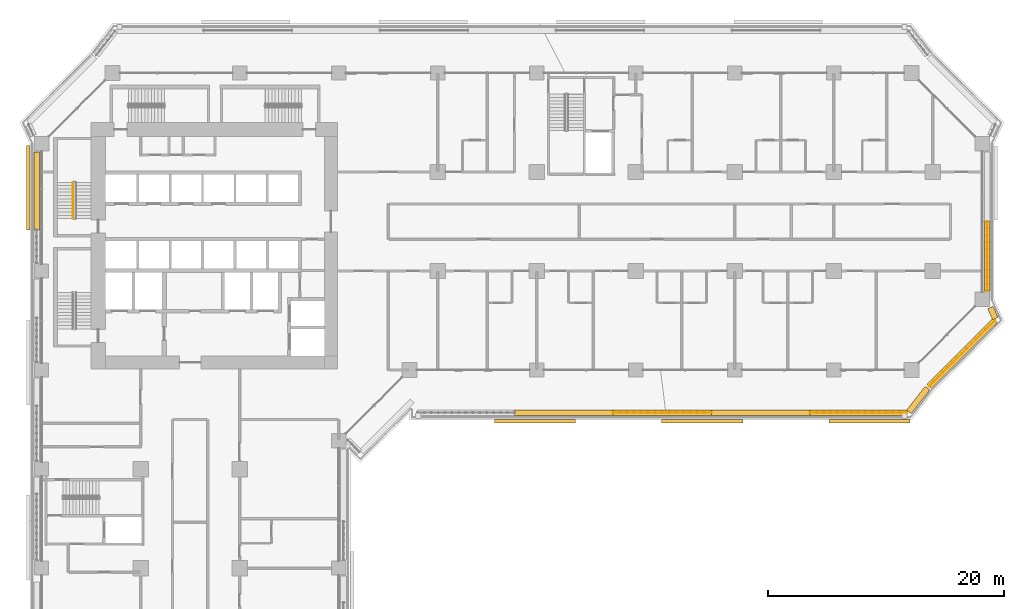
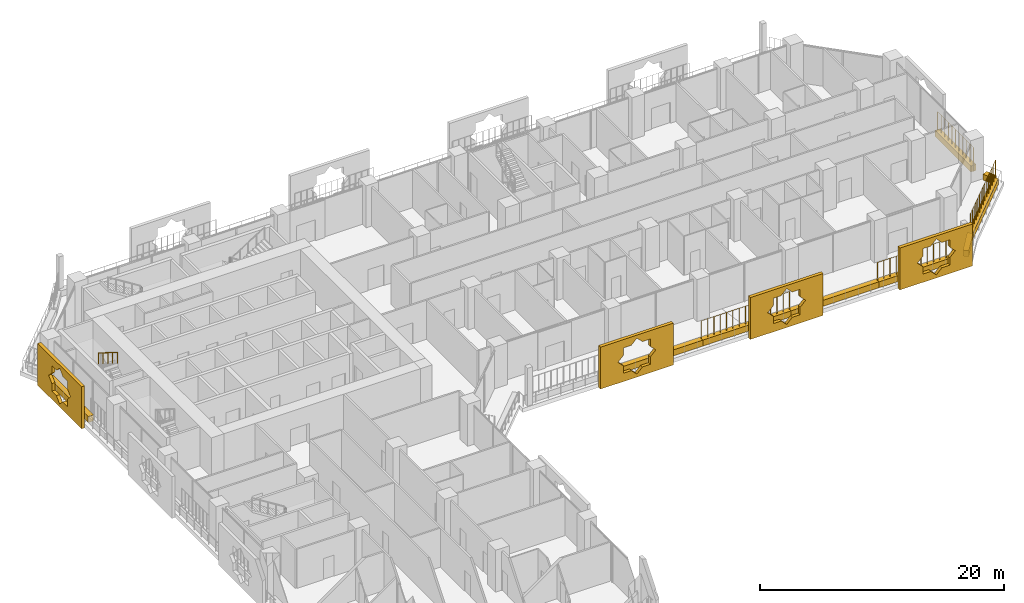
# One storey, part 25 of 28: 13 coverings, 5 railings.
"""IFC4 building model written with IfcOpenShell, lengths in metres."""

from ifc_helpers import new_model, si_unit, direction, frame, origin, origin_2d, place, context, subcontext, project, spatial, polyline, rectangle, circle, outline, extrude, material, material_profile, profile_set, type_object, element, save


model = new_model("IFC4")

# Units and contexts
model_context = context("Model", 3, precision=1e-05, world=origin(), true_north=direction((0.0, 1.0)))
body_context = subcontext(model_context, "Body", "Model", "MODEL_VIEW")
ifc_project = project(units=[si_unit("LENGTHUNIT", "METRE"), si_unit("AREAUNIT", "SQUARE_METRE"), si_unit("VOLUMEUNIT", "CUBIC_METRE"), si_unit("PLANEANGLEUNIT", "RADIAN"), si_unit("MASSUNIT", "GRAM", prefix="KILO")], contexts=[model_context])

# Site, building, storey
site_placement = place(None, origin())
site = spatial("IfcSite", under=ifc_project, at=site_placement, CompositionType="ELEMENT")
building_placement = place(site_placement, origin())
building = spatial("IfcBuilding", under=site, at=building_placement, Name="Kawkab Arch Medical Tower", CompositionType="ELEMENT")
storey_placement = place(building_placement, frame((0.0, 0.0, 77.0)))
storey = spatial("IfcBuildingStorey", under=building, at=storey_placement, Name="L17", CompositionType="ELEMENT", Elevation=77.0)

# Coverings
ifc_material_1 = material(Name="Bronze anodised aluminium mashrabiya panel, eight-point star pattern", Category="aluminium")
ifc_material_profile_1 = material_profile(ifc_material_1, outline(polyline([(-3.449951171875, -2.10009765625), (3.449951171875, -2.10009765625), (3.449951171875, 2.10009765625), (-3.449951171875, 2.10009765625), (-3.449951171875, -2.10009765625)]), holes=[polyline([(1.800048828125, 0.0), (1.272705078125, 0.527099609375), (1.272705078125, 1.272705078125), (0.527099609375, 1.272705078125), (0.0, 1.800048828125), (-0.527099609375, 1.272705078125), (-1.272705078125, 1.272705078125), (-1.272705078125, 0.527099609375), (-1.800048828125, 0.0), (-1.272705078125, -0.527099609375), (-1.272705078125, -1.272705078125), (-0.527099609375, -1.272705078125), (0.0, -1.800048828125), (0.527099609375, -1.272705078125), (1.272705078125, -1.272705078125), (1.272705078125, -0.527099609375), (1.800048828125, 0.0)])]), Name="Mashrabiya panel 6900x4200")
ifc_profile_set_1 = profile_set([ifc_material_profile_1], Name="Bronze anodised aluminium mashrabiya panel, eight-point star pattern")
covering_type_1 = type_object("IfcCoveringType", Name="Mashrabiya panel 6900 x 4200", PredefinedType="USERDEFINED", material=ifc_profile_set_1)
for number, where, z_axis, x_axis, name in (
    (1, (70.226318359375, -29.39990234375, 1.699951171875), (0.0, -1.0, 0.0), (1.0, 0.0, 0.0), "Mashrabiya panel L17.LOG-01-01.11"),
    (2, (56.05126953125, -29.39990234375, 1.699951171875), (0.0, -1.0, 0.0), (1.0, 0.0, 0.0), "Mashrabiya panel L17.LOG-01-01.12"),
    (3, (41.856201171875, -29.39990234375, 1.699951171875), (0.0, -1.0, 0.0), (1.0, 0.0, 0.0), "Mashrabiya panel L17.LOG-01-01.13"),
):
    element("IfcCovering", number, at=place(storey_placement, frame(where, z_axis=z_axis, x_axis=x_axis)), inside=storey, type_object=covering_type_1, Name=name, ObjectType="SCREEN", PredefinedType="USERDEFINED", context=body_context, shape_type="SweptSolid", body=[
        extrude(outline(polyline([(-3.449951171875, -2.10009765625), (3.449951171875, -2.10009765625), (3.449951171875, 2.10009765625), (-3.449951171875, 2.10009765625), (-3.449951171875, -2.10009765625)]), holes=[polyline([(1.800048828125, 0.0), (1.272705078125, 0.527099609375), (1.272705078125, 1.272705078125), (0.527099609375, 1.272705078125), (0.0, 1.800048828125), (-0.527099609375, 1.272705078125), (-1.272705078125, 1.272705078125), (-1.272705078125, 0.527099609375), (-1.800048828125, 0.0), (-1.272705078125, -0.527099609375), (-1.272705078125, -1.272705078125), (-0.527099609375, -1.272705078125), (0.0, -1.800048828125), (0.527099609375, -1.272705078125), (1.272705078125, -1.272705078125), (1.272705078125, -0.527099609375), (1.800048828125, 0.0)])]), origin(), (0.0, 0.0, 1.0), 0.300048828125),
    ])
ifc_material_2 = material(Name="Bronze anodised aluminium mashrabiya panel, eight-point star pattern", Category="aluminium")
ifc_material_profile_2 = material_profile(ifc_material_2, outline(polyline([(-3.60009765625, -2.10009765625), (3.60009765625, -2.10009765625), (3.60009765625, 2.10009765625), (-3.60009765625, 2.10009765625), (-3.60009765625, -2.10009765625)]), holes=[polyline([(1.800048828125, 0.0), (1.272705078125, 0.527099609375), (1.272705078125, 1.272705078125), (0.527099609375, 1.272705078125), (0.0, 1.800048828125), (-0.527099609375, 1.272705078125), (-1.272705078125, 1.272705078125), (-1.272705078125, 0.527099609375), (-1.800048828125, 0.0), (-1.272705078125, -0.527099609375), (-1.272705078125, -1.272705078125), (-0.527099609375, -1.272705078125), (0.0, -1.800048828125), (0.527099609375, -1.272705078125), (1.272705078125, -1.272705078125), (1.272705078125, -0.527099609375), (1.800048828125, 0.0)])]), Name="Mashrabiya panel 7200x4200")
ifc_profile_set_2 = profile_set([ifc_material_profile_2], Name="Bronze anodised aluminium mashrabiya panel, eight-point star pattern")
covering_type_2 = type_object("IfcCoveringType", Name="Mashrabiya panel 7200 x 4200", PredefinedType="USERDEFINED", material=ifc_profile_set_2)
covering_1_placement = place(storey_placement, frame((-1.0, -9.730712890625, 1.699951171875), z_axis=(-1.0, 0.0, 0.0), x_axis=(0.0, -1.0, 0.0)))
element("IfcCovering", 4, at=covering_1_placement, inside=storey, type_object=covering_type_2, Name="Mashrabiya panel L17.LOG-01-01.5", ObjectType="SCREEN", PredefinedType="USERDEFINED", context=body_context, shape_type="SweptSolid", body=[
    extrude(outline(polyline([(-3.60009765625, -2.10009765625), (3.60009765625, -2.10009765625), (3.60009765625, 2.10009765625), (-3.60009765625, 2.10009765625), (-3.60009765625, -2.10009765625)]), holes=[polyline([(1.800048828125, 0.0), (1.272705078125, 0.527099609375), (1.272705078125, 1.272705078125), (0.527099609375, 1.272705078125), (0.0, 1.800048828125), (-0.527099609375, 1.272705078125), (-1.272705078125, 1.272705078125), (-1.272705078125, 0.527099609375), (-1.800048828125, 0.0), (-1.272705078125, -0.527099609375), (-1.272705078125, -1.272705078125), (-0.527099609375, -1.272705078125), (0.0, -1.800048828125), (0.527099609375, -1.272705078125), (1.272705078125, -1.272705078125), (1.272705078125, -0.527099609375), (1.800048828125, 0.0)])]), origin(), (0.0, 0.0, 1.0), 0.300048828125),
])
ifc_material_3 = material(Name="Planting soil in a precast trough", Category="concrete")
ifc_material_profile_3 = material_profile(ifc_material_3, rectangle(XDim=0.5, YDim=0.60009765625, at=origin_2d()), Name="Trough 500x600")
ifc_profile_set_3 = profile_set([ifc_material_profile_3], Name="Planting soil in a precast trough")
covering_type_3 = type_object("IfcCoveringType", Name="Planter trough 500 x 600", PredefinedType="USERDEFINED", material=ifc_profile_set_3)
covering_2_placement = place(storey_placement, frame((-0.419921875, -13.3310546875, 0.300048828125), z_axis=(0.0, 1.0, 0.0), x_axis=(-1.0, 0.0, 0.0)))
element("IfcCovering", 5, at=covering_2_placement, inside=storey, type_object=covering_type_3, Name="Planter L17.LOG-01-01.16", ObjectType="PLANTER", PredefinedType="USERDEFINED", context=body_context, shape_type="SweptSolid", body=[
    extrude(rectangle(XDim=0.5, YDim=0.60009765625, at=origin_2d()), origin(), (0.0, 0.0, 1.0), 6.6259765625),
])
covering_3_placement = place(storey_placement, frame((80.219970703125, -12.60009765625, 0.300048828125), z_axis=(0.0, -1.0, 0.0), x_axis=(1.0, 0.0, 0.0)))
element("IfcCovering", 6, at=covering_3_placement, inside=storey, type_object=covering_type_3, Name="Planter L17.LOG-01-01.33", ObjectType="PLANTER", PredefinedType="USERDEFINED", context=body_context, shape_type="SweptSolid", body=[
    extrude(rectangle(XDim=0.5, YDim=0.60009765625, at=origin_2d()), origin(), (0.0, 0.0, 1.0), 5.89501953125),
])
covering_4_placement = place(storey_placement, frame((80.48095703125, -19.89794921875, 0.300048828125), z_axis=(0.415071571878, -0.909788761317, 0.0), x_axis=(0.909788761317, 0.415071571878, 0.0)))
element("IfcCovering", 7, at=covering_4_placement, inside=storey, type_object=covering_type_3, Name="Planter L17.LOG-01-01.34", ObjectType="PLANTER", PredefinedType="USERDEFINED", context=body_context, shape_type="SweptSolid", body=[
    extrude(rectangle(XDim=0.5, YDim=0.60009765625, at=origin_2d()), origin(), (0.0, 0.0, 1.0), 1.0146484375),
])
covering_5_placement = place(storey_placement, frame((80.873046875, -20.98291015625, 0.300048828125), z_axis=(-0.707106781187, -0.707106781187, 0.0), x_axis=(0.707106781187, -0.707106781187, 0.0)))
element("IfcCovering", 8, at=covering_5_placement, inside=storey, type_object=covering_type_3, Name="Planter L17.LOG-01-01.35", ObjectType="PLANTER", PredefinedType="USERDEFINED", context=body_context, shape_type="SweptSolid", body=[
    extrude(rectangle(XDim=0.5, YDim=0.60009765625, at=origin_2d()), origin(), (0.0, 0.0, 1.0), 7.919677734375),
])
covering_6_placement = place(storey_placement, frame((75.14111328125, -26.73193359375, 0.300048828125), z_axis=(-0.614099956103, -0.789228258436, 0.0), x_axis=(0.789228258436, -0.614099956103, 0.0)))
element("IfcCovering", 9, at=covering_6_placement, inside=storey, type_object=covering_type_3, Name="Planter L17.LOG-01-01.36", ObjectType="PLANTER", PredefinedType="USERDEFINED", context=body_context, shape_type="SweptSolid", body=[
    extrude(rectangle(XDim=0.5, YDim=0.60009765625, at=origin_2d()), origin(), (0.0, 0.0, 1.0), 2.545654296875),
])
covering_7_placement = place(storey_placement, frame((73.416015625, -28.820068359375, 0.300048828125), z_axis=(-1.0, 0.0, 0.0), x_axis=(0.0, -1.0, 0.0)))
element("IfcCovering", 10, at=covering_7_placement, inside=storey, type_object=covering_type_3, Name="Planter L17.LOG-01-01.37", ObjectType="PLANTER", PredefinedType="USERDEFINED", context=body_context, shape_type="SweptSolid", body=[
    extrude(rectangle(XDim=0.5, YDim=0.60009765625, at=origin_2d()), origin(), (0.0, 0.0, 1.0), 8.2470703125),
])
for number, where, z_axis, x_axis, name in (
    (11, (65.1689453125, -28.820068359375, 0.300048828125), (-1.0, 0.0, 0.0), (0.0, -1.0, 0.0), "Planter L17.LOG-01-01.38"),
    (12, (56.822021484375, -28.820068359375, 0.300048828125), (-1.0, 0.0, 0.0), (0.0, -1.0, 0.0), "Planter L17.LOG-01-01.39"),
):
    element("IfcCovering", number, at=place(storey_placement, frame(where, z_axis=z_axis, x_axis=x_axis)), inside=storey, type_object=covering_type_3, Name=name, ObjectType="PLANTER", PredefinedType="USERDEFINED", context=body_context, shape_type="SweptSolid", body=[
        extrude(rectangle(XDim=0.5, YDim=0.60009765625, at=origin_2d()), origin(), (0.0, 0.0, 1.0), 8.346923828125),
    ])
covering_8_placement = place(storey_placement, frame((48.47509765625, -28.820068359375, 0.300048828125), z_axis=(-1.0, 0.0, 0.0), x_axis=(0.0, -1.0, 0.0)))
element("IfcCovering", 13, at=covering_8_placement, inside=storey, type_object=covering_type_3, Name="Planter L17.LOG-01-01.40", ObjectType="PLANTER", PredefinedType="USERDEFINED", context=body_context, shape_type="SweptSolid", body=[
    extrude(rectangle(XDim=0.5, YDim=0.60009765625, at=origin_2d()), origin(), (0.0, 0.0, 1.0), 8.34814453125),
])

# Railings
ifc_material_4 = material(Name="Bronze anodised aluminium trellis for climbing plants", Category="aluminium")
railing_type_1 = type_object("IfcRailingType", Name="Planting trellis 2400", PredefinedType="USERDEFINED", material=ifc_material_4)
railing_1_placement = place(storey_placement, frame((80.219970703125, -12.60009765625, 0.0)))
element("IfcRailing", 14, at=railing_1_placement, inside=storey, type_object=railing_type_1, Name="Planting trellis L17.LOG-01-01.33", ObjectType="TRELLIS", PredefinedType="USERDEFINED", context=body_context, shape_type="SweptSolid", body=[
    extrude(circle(Radius=0.01513671875, at=origin_2d()), frame((0.0, 0.0, 2.384765625), z_axis=(0.0, -1.0, 0.0), x_axis=(1.0, 0.0, 0.0)), (0.0, 0.0, 1.0), 5.89501953125),
    extrude(circle(Radius=0.030029296875, at=origin_2d()), origin(), (0.0, 0.0, 1.0), 2.369873046875),
    extrude(circle(Radius=0.030029296875, at=origin_2d()), frame((0.0, -0.589599609375, 0.0)), (0.0, 0.0, 1.0), 2.369873046875),
    extrude(circle(Radius=0.030029296875, at=origin_2d()), frame((0.0, -1.178955078125, 0.0)), (0.0, 0.0, 1.0), 2.369873046875),
    extrude(circle(Radius=0.030029296875, at=origin_2d()), frame((0.0, -1.7685546875, 0.0)), (0.0, 0.0, 1.0), 2.369873046875),
    extrude(circle(Radius=0.030029296875, at=origin_2d()), frame((0.0, -2.35791015625, 0.0)), (0.0, 0.0, 1.0), 2.369873046875),
    extrude(circle(Radius=0.030029296875, at=origin_2d()), frame((0.0, -2.947509765625, 0.0)), (0.0, 0.0, 1.0), 2.369873046875),
    extrude(circle(Radius=0.030029296875, at=origin_2d()), frame((0.0, -3.537109375, 0.0)), (0.0, 0.0, 1.0), 2.369873046875),
    extrude(circle(Radius=0.030029296875, at=origin_2d()), frame((0.0, -4.12646484375, 0.0)), (0.0, 0.0, 1.0), 2.369873046875),
    extrude(circle(Radius=0.030029296875, at=origin_2d()), frame((0.0, -4.716064453125, 0.0)), (0.0, 0.0, 1.0), 2.369873046875),
    extrude(circle(Radius=0.030029296875, at=origin_2d()), frame((0.0, -5.305419921875, 0.0)), (0.0, 0.0, 1.0), 2.369873046875),
    extrude(circle(Radius=0.030029296875, at=origin_2d()), frame((0.0, -5.89501953125, 0.0)), (0.0, 0.0, 1.0), 2.369873046875),
])
railing_2_placement = place(storey_placement, frame((80.873046875, -20.98291015625, 0.0)))
element("IfcRailing", 15, at=railing_2_placement, inside=storey, type_object=railing_type_1, Name="Planting trellis L17.LOG-01-01.35", ObjectType="TRELLIS", PredefinedType="USERDEFINED", context=body_context, shape_type="SweptSolid", body=[
    extrude(circle(Radius=0.01513671875, at=origin_2d()), frame((0.0, 0.0, 2.384765625), z_axis=(-0.707106781187, -0.707106781187, 0.0), x_axis=(0.707106781187, -0.707106781187, 0.0)), (0.0, 0.0, 1.0), 7.919677734375),
    extrude(circle(Radius=0.030029296875, at=origin_2d()), origin(), (0.0, 0.0, 1.0), 2.369873046875),
    extrude(circle(Radius=0.030029296875, at=origin_2d()), frame((-0.39990234375, -0.39990234375, 0.0)), (0.0, 0.0, 1.0), 2.369873046875),
    extrude(circle(Radius=0.030029296875, at=origin_2d()), frame((-0.800048828125, -0.800048828125, 0.0)), (0.0, 0.0, 1.0), 2.369873046875),
    extrude(circle(Radius=0.030029296875, at=origin_2d()), frame((-1.199951171875, -1.199951171875, 0.0)), (0.0, 0.0, 1.0), 2.369873046875),
    extrude(circle(Radius=0.030029296875, at=origin_2d()), frame((-1.60009765625, -1.60009765625, 0.0)), (0.0, 0.0, 1.0), 2.369873046875),
    extrude(circle(Radius=0.030029296875, at=origin_2d()), frame((-2.0, -2.0, 0.0)), (0.0, 0.0, 1.0), 2.369873046875),
    extrude(circle(Radius=0.030029296875, at=origin_2d()), frame((-2.400146484375, -2.400146484375, 0.0)), (0.0, 0.0, 1.0), 2.369873046875),
    extrude(circle(Radius=0.030029296875, at=origin_2d()), frame((-2.800048828125, -2.800048828125, 0.0)), (0.0, 0.0, 1.0), 2.369873046875),
    extrude(circle(Radius=0.030029296875, at=origin_2d()), frame((-3.199951171875, -3.199951171875, 0.0)), (0.0, 0.0, 1.0), 2.369873046875),
    extrude(circle(Radius=0.030029296875, at=origin_2d()), frame((-3.60009765625, -3.60009765625, 0.0)), (0.0, 0.0, 1.0), 2.369873046875),
    extrude(circle(Radius=0.030029296875, at=origin_2d()), frame((-4.0, -4.0, 0.0)), (0.0, 0.0, 1.0), 2.369873046875),
    extrude(circle(Radius=0.030029296875, at=origin_2d()), frame((-4.400146484375, -4.400146484375, 0.0)), (0.0, 0.0, 1.0), 2.369873046875),
    extrude(circle(Radius=0.030029296875, at=origin_2d()), frame((-4.800048828125, -4.800048828125, 0.0)), (0.0, 0.0, 1.0), 2.369873046875),
    extrude(circle(Radius=0.030029296875, at=origin_2d()), frame((-5.2001953125, -5.2001953125, 0.0)), (0.0, 0.0, 1.0), 2.369873046875),
    extrude(circle(Radius=0.030029296875, at=origin_2d()), frame((-5.60009765625, -5.60009765625, 0.0)), (0.0, 0.0, 1.0), 2.369873046875),
])
railing_3_placement = place(storey_placement, frame((73.416015625, -28.820068359375, 0.0)))
element("IfcRailing", 16, at=railing_3_placement, inside=storey, type_object=railing_type_1, Name="Planting trellis L17.LOG-01-01.37", ObjectType="TRELLIS", PredefinedType="USERDEFINED", context=body_context, shape_type="SweptSolid", body=[
    extrude(circle(Radius=0.01513671875, at=origin_2d()), frame((0.0, 0.0, 2.384765625), z_axis=(-1.0, 0.0, 0.0), x_axis=(0.0, -1.0, 0.0)), (0.0, 0.0, 1.0), 8.2470703125),
    extrude(circle(Radius=0.030029296875, at=origin_2d()), origin(), (0.0, 0.0, 1.0), 2.369873046875),
    extrude(circle(Radius=0.030029296875, at=origin_2d()), frame((-0.589111328125, 0.0, 0.0)), (0.0, 0.0, 1.0), 2.369873046875),
    extrude(circle(Radius=0.030029296875, at=origin_2d()), frame((-1.17822265625, 0.0, 0.0)), (0.0, 0.0, 1.0), 2.369873046875),
    extrude(circle(Radius=0.030029296875, at=origin_2d()), frame((-1.767333984375, 0.0, 0.0)), (0.0, 0.0, 1.0), 2.369873046875),
    extrude(circle(Radius=0.030029296875, at=origin_2d()), frame((-2.356201171875, 0.0, 0.0)), (0.0, 0.0, 1.0), 2.369873046875),
    extrude(circle(Radius=0.030029296875, at=origin_2d()), frame((-2.9453125, 0.0, 0.0)), (0.0, 0.0, 1.0), 2.369873046875),
    extrude(circle(Radius=0.030029296875, at=origin_2d()), frame((-3.534423828125, 0.0, 0.0)), (0.0, 0.0, 1.0), 2.369873046875),
    extrude(circle(Radius=0.030029296875, at=origin_2d()), frame((-4.12353515625, 0.0, 0.0)), (0.0, 0.0, 1.0), 2.369873046875),
    extrude(circle(Radius=0.030029296875, at=origin_2d()), frame((-4.712646484375, 0.0, 0.0)), (0.0, 0.0, 1.0), 2.369873046875),
    extrude(circle(Radius=0.030029296875, at=origin_2d()), frame((-5.3017578125, 0.0, 0.0)), (0.0, 0.0, 1.0), 2.369873046875),
    extrude(circle(Radius=0.030029296875, at=origin_2d()), frame((-5.890869140625, 0.0, 0.0)), (0.0, 0.0, 1.0), 2.369873046875),
    extrude(circle(Radius=0.030029296875, at=origin_2d()), frame((-6.479736328125, 0.0, 0.0)), (0.0, 0.0, 1.0), 2.369873046875),
    extrude(circle(Radius=0.030029296875, at=origin_2d()), frame((-7.06884765625, 0.0, 0.0)), (0.0, 0.0, 1.0), 2.369873046875),
    extrude(circle(Radius=0.030029296875, at=origin_2d()), frame((-7.657958984375, 0.0, 0.0)), (0.0, 0.0, 1.0), 2.369873046875),
    extrude(circle(Radius=0.030029296875, at=origin_2d()), frame((-8.2470703125, 0.0, 0.0)), (0.0, 0.0, 1.0), 2.369873046875),
])
railing_4_placement = place(storey_placement, frame((56.822021484375, -28.820068359375, 0.0)))
element("IfcRailing", 17, at=railing_4_placement, inside=storey, type_object=railing_type_1, Name="Planting trellis L17.LOG-01-01.39", ObjectType="TRELLIS", PredefinedType="USERDEFINED", context=body_context, shape_type="SweptSolid", body=[
    extrude(circle(Radius=0.01513671875, at=origin_2d()), frame((0.0, 0.0, 2.384765625), z_axis=(-1.0, 0.0, 0.0), x_axis=(0.0, -1.0, 0.0)), (0.0, 0.0, 1.0), 8.346923828125),
    extrude(circle(Radius=0.030029296875, at=origin_2d()), origin(), (0.0, 0.0, 1.0), 2.369873046875),
    extrude(circle(Radius=0.030029296875, at=origin_2d()), frame((-0.59619140625, 0.0, 0.0)), (0.0, 0.0, 1.0), 2.369873046875),
    extrude(circle(Radius=0.030029296875, at=origin_2d()), frame((-1.1923828125, 0.0, 0.0)), (0.0, 0.0, 1.0), 2.369873046875),
    extrude(circle(Radius=0.030029296875, at=origin_2d()), frame((-1.78857421875, 0.0, 0.0)), (0.0, 0.0, 1.0), 2.369873046875),
    extrude(circle(Radius=0.030029296875, at=origin_2d()), frame((-2.384765625, 0.0, 0.0)), (0.0, 0.0, 1.0), 2.369873046875),
    extrude(circle(Radius=0.030029296875, at=origin_2d()), frame((-2.98095703125, 0.0, 0.0)), (0.0, 0.0, 1.0), 2.369873046875),
    extrude(circle(Radius=0.030029296875, at=origin_2d()), frame((-3.5771484375, 0.0, 0.0)), (0.0, 0.0, 1.0), 2.369873046875),
    extrude(circle(Radius=0.030029296875, at=origin_2d()), frame((-4.17333984375, 0.0, 0.0)), (0.0, 0.0, 1.0), 2.369873046875),
    extrude(circle(Radius=0.030029296875, at=origin_2d()), frame((-4.769775390625, 0.0, 0.0)), (0.0, 0.0, 1.0), 2.369873046875),
    extrude(circle(Radius=0.030029296875, at=origin_2d()), frame((-5.365966796875, 0.0, 0.0)), (0.0, 0.0, 1.0), 2.369873046875),
    extrude(circle(Radius=0.030029296875, at=origin_2d()), frame((-5.962158203125, 0.0, 0.0)), (0.0, 0.0, 1.0), 2.369873046875),
    extrude(circle(Radius=0.030029296875, at=origin_2d()), frame((-6.558349609375, 0.0, 0.0)), (0.0, 0.0, 1.0), 2.369873046875),
    extrude(circle(Radius=0.030029296875, at=origin_2d()), frame((-7.154541015625, 0.0, 0.0)), (0.0, 0.0, 1.0), 2.369873046875),
    extrude(circle(Radius=0.030029296875, at=origin_2d()), frame((-7.750732421875, 0.0, 0.0)), (0.0, 0.0, 1.0), 2.369873046875),
    extrude(circle(Radius=0.030029296875, at=origin_2d()), frame((-8.346923828125, 0.0, 0.0)), (0.0, 0.0, 1.0), 2.369873046875),
])
ifc_material_5 = material(Name="Stainless steel", Category="steel")
railing_type_2 = type_object("IfcRailingType", Name="Stair guard 1100", PredefinedType="GUARDRAIL", material=ifc_material_5)
railing_5_placement = place(storey_placement, frame((2.64990234375, -9.27001953125, 2.27490234375)))
element("IfcRailing", 18, at=railing_5_placement, inside=storey, type_object=railing_type_2, Name="L17 ST1 stair guard 3", PredefinedType="GUARDRAIL", context=body_context, shape_type="SweptSolid", body=[
    extrude(circle(Radius=0.02392578125, at=origin_2d()), frame((0.0, 0.0, 1.076171875), z_axis=(0.0, -0.847998304005, 0.529998940003), x_axis=(1.0, 0.0, 0.0)), (0.0, 0.0, 1.0), 3.632080078125),
    extrude(circle(Radius=0.02099609375, at=origin_2d()), origin(), (0.0, 0.0, 1.0), 1.052001953125),
    extrude(circle(Radius=0.02099609375, at=origin_2d()), frame((0.0, -0.77001953125, 0.481201171875)), (0.0, 0.0, 1.0), 1.052001953125),
    extrude(circle(Radius=0.02099609375, at=origin_2d()), frame((0.0, -1.5400390625, 0.96240234375)), (0.0, 0.0, 1.0), 1.052001953125),
    extrude(circle(Radius=0.02099609375, at=origin_2d()), frame((0.0, -2.31005859375, 1.44384765625)), (0.0, 0.0, 1.0), 1.052001953125),
    extrude(circle(Radius=0.02099609375, at=origin_2d()), frame((0.0, -3.080078125, 1.925048828125)), (0.0, 0.0, 1.0), 1.052001953125),
])

save(model, "model.ifc")
